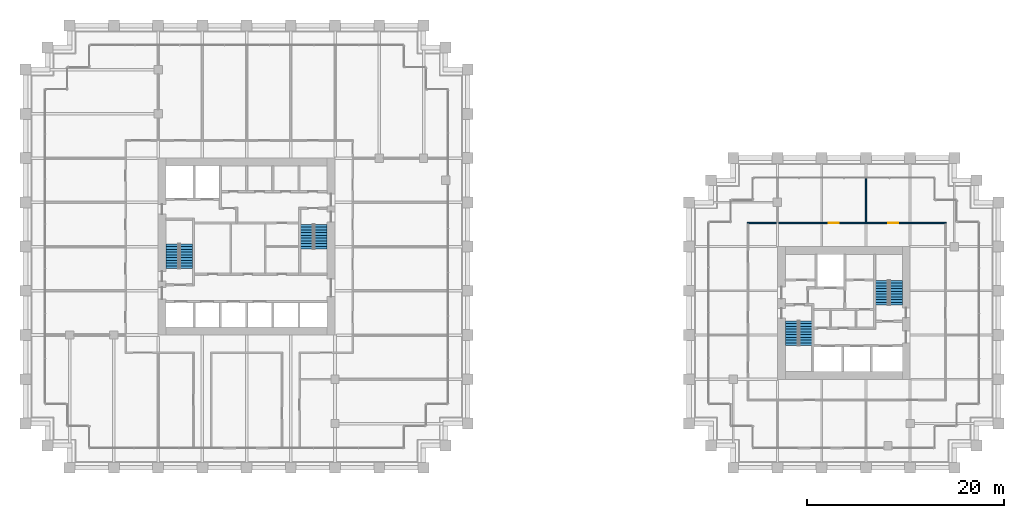
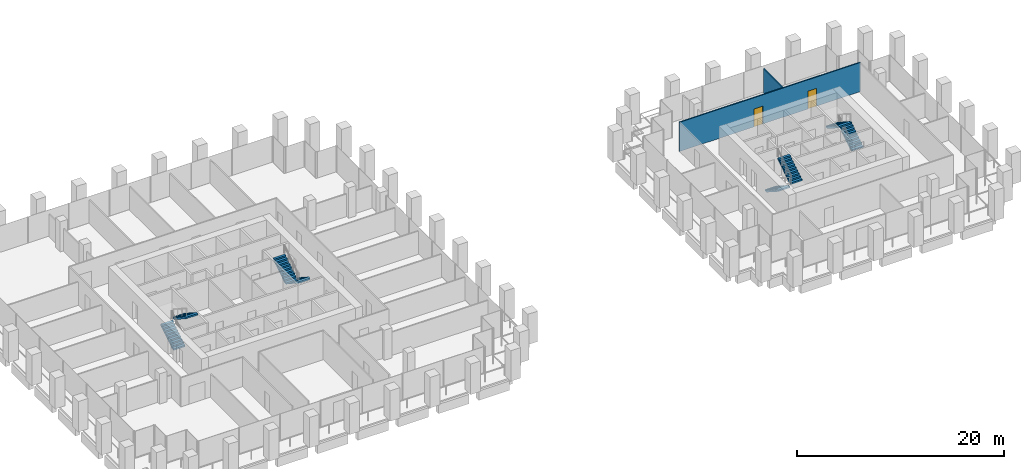
# One storey, part 54 of 56: 8 stair flights, 2 doors, 2 walls, 2 openings, 4 elements without a shape of their own.
"""IFC4 building model written with IfcOpenShell, lengths in metres."""

import ifcopenshell
import ifcopenshell.guid

model = None  # the IFC model being written
_history = None  # IfcOwnerHistory: only IFC2X3 demands one
_inside = {}  # id of a spatial element -> (the spatial element, [elements in it])
_under = {}  # id of a project, library or spatial element -> (it, [spatial elements below it])
_declared = {}  # id of a project -> (the project, [libraries it declares])
_typed = {}  # id of a type object -> (the type object, [elements of that type])
_made_of = {}  # id of a material, layer set ... -> (it, [elements and type objects made of it])


def new_model(schema):
    """Start an empty IFC model of exactly this schema.

    Asked for "IFC4X3", IfcOpenShell would pick the latest addendum, in which some entities
    have other attributes; the version numbers below select the first issue.
    IFC2X3 requires an IfcOwnerHistory on every rooted entity: one is made here for all.
    """
    global model, _history
    if schema == "IFC4X3":
        model = ifcopenshell.file(schema_version=(4, 3, 0, 0))
    else:
        model = ifcopenshell.file(schema=schema)
    _inside.clear()
    _under.clear()
    _declared.clear()
    _typed.clear()
    _made_of.clear()
    _history = None
    if model.schema == "IFC2X3":
        org = make("IfcOrganization", Name="unknown")
        user = make(
            "IfcPersonAndOrganization",
            ThePerson=make("IfcPerson", FamilyName="unknown"),
            TheOrganization=org,
        )
        app = make(
            "IfcApplication",
            ApplicationDeveloper=org,
            Version="unknown",
            ApplicationFullName="unknown",
            ApplicationIdentifier="unknown",
        )
        _history = make(
            "IfcOwnerHistory",
            OwningUser=user,
            OwningApplication=app,
            ChangeAction="ADDED",
            CreationDate=0,
        )
    return model


def make(cls, **values):
    """One entity of the class cls with the attributes given. An attribute that is None is left unset."""
    return model.create_entity(
        cls, **{name: value for name, value in values.items() if value is not None}
    )


def rooted(cls, **values):
    """An entity with a GlobalId (a new one), such as an element, a storey or a relation."""
    return make(cls, GlobalId=ifcopenshell.guid.new(), OwnerHistory=_history, **values)


def si_unit(unit_type, name, prefix=None):
    """IfcSIUnit, for example si_unit("LENGTHUNIT", "METRE", prefix="MILLI")."""
    return make("IfcSIUnit", UnitType=unit_type, Prefix=prefix, Name=name)


def assignment(units):
    """IfcUnitAssignment: the units of a project."""
    return None if units is None else make("IfcUnitAssignment", Units=units)


def point(xyz):
    """IfcCartesianPoint."""
    return None if xyz is None else make("IfcCartesianPoint", Coordinates=xyz)


def direction(xyz):
    """IfcDirection."""
    return None if xyz is None else make("IfcDirection", DirectionRatios=xyz)


def frame(location, z_axis=None, x_axis=None):
    """IfcAxis2Placement3D, a coordinate frame: its origin and axes. An axis left out is left unset."""
    return make(
        "IfcAxis2Placement3D",
        Location=point(location),
        Axis=direction(z_axis),
        RefDirection=direction(x_axis),
    )


def frame_2d(location, x_axis=None):
    """IfcAxis2Placement2D, a coordinate frame in the plane: its origin and x axis."""
    return make(
        "IfcAxis2Placement2D", Location=point(location), RefDirection=direction(x_axis)
    )


def origin():
    """The frame at (0, 0, 0) with its axes left unset."""
    return frame((0.0, 0.0, 0.0))


def place(relative_to, where):
    """IfcLocalPlacement: puts the frame where relative to a parent placement (None: the world)."""
    return make(
        "IfcLocalPlacement", PlacementRelTo=relative_to, RelativePlacement=where
    )


def context(
    kind, dimensions, precision=None, world=None, true_north=None, identifier=None
):
    """IfcGeometricRepresentationContext, for example the 3D "Model" context."""
    return make(
        "IfcGeometricRepresentationContext",
        ContextIdentifier=identifier,
        ContextType=kind,
        CoordinateSpaceDimension=dimensions,
        Precision=precision,
        WorldCoordinateSystem=world,
        TrueNorth=true_north,
    )


def subcontext(parent, identifier, kind, view, scale=None):
    """IfcGeometricRepresentationSubContext, for example "Body" below "Model"."""
    return make(
        "IfcGeometricRepresentationSubContext",
        ContextIdentifier=identifier,
        ContextType=kind,
        ParentContext=parent,
        TargetScale=scale,
        TargetView=view,
    )


def project(units=None, contexts=None):
    """IfcProject with its units and contexts."""
    return rooted(
        "IfcProject",
        Name="project",
        RepresentationContexts=contexts,
        UnitsInContext=assignment(units),
    )


def spatial(cls, under=None, at=None, **own):
    """A site, building, storey or space (cls), placed at a placement, below another one or the project."""
    s = rooted(cls, ObjectPlacement=at, **own)
    if under is not None:
        _under.setdefault(under.id(), (under, []))[1].append(s)
    return s


def polyline(points):
    """IfcPolyline through the points."""
    return make("IfcPolyline", Points=[point(p) for p in points])


def profile(cls, at=None, kind="AREA", **sizes):
    """A parametric profile (cls). Its sizes go by their IFC names, for example OverallWidth=200.0."""
    return make(cls, ProfileType=kind, Position=at, **sizes)


def rectangle(**sizes):
    """IfcRectangleProfileDef."""
    return profile("IfcRectangleProfileDef", **sizes)


def outline(outer, holes=None, kind="AREA"):
    """IfcArbitraryClosedProfileDef: a profile drawn as a closed curve; with holes, ...WithVoids."""
    if holes is None:
        return make("IfcArbitraryClosedProfileDef", ProfileType=kind, OuterCurve=outer)
    return make(
        "IfcArbitraryProfileDefWithVoids",
        ProfileType=kind,
        OuterCurve=outer,
        InnerCurves=holes,
    )


def extrude(swept, where, along, depth):
    """IfcExtrudedAreaSolid: the profile swept, set in the frame where, extruded along a direction by depth."""
    return make(
        "IfcExtrudedAreaSolid",
        SweptArea=swept,
        Position=where,
        ExtrudedDirection=direction(along),
        Depth=depth,
    )


def shape(context_of_items, identifier, shape_type, items):
    """IfcShapeRepresentation: the items that make up one representation, for example the "Body"."""
    return make(
        "IfcShapeRepresentation",
        ContextOfItems=context_of_items,
        RepresentationIdentifier=identifier,
        RepresentationType=shape_type,
        Items=items,
    )


def material(Name=None, Category=None):
    """IfcMaterial."""
    return make("IfcMaterial", Name=Name, Category=Category)


def layer(
    of_material, thickness, ventilated=None, Name=None, Category=None, Priority=None
):
    """IfcMaterialLayer: one layer of a wall or slab, of a material (None: an air gap)."""
    return make(
        "IfcMaterialLayer",
        Material=of_material,
        LayerThickness=thickness,
        IsVentilated=ventilated,
        Name=Name,
        Category=Category,
        Priority=Priority,
    )


def layer_set(layers, Name=None):
    """IfcMaterialLayerSet."""
    return make("IfcMaterialLayerSet", MaterialLayers=layers, LayerSetName=Name)


def made_of(thing, what):
    """Note that an element or type object is made of a material, layer set ...; save() writes the relation."""
    if what is not None:
        _made_of.setdefault(what.id(), (what, []))[1].append(thing)
    return thing


def type_object(cls, material=None, **own):
    """A type object (cls), such as IfcWallType, which elements share."""
    return made_of(rooted(cls, **own), material)


def element(
    cls,
    number,
    at=None,
    inside=None,
    cuts=None,
    type_object=None,
    material=None,
    context=None,
    identifier="Body",
    shape_type=None,
    held_by="IfcProductDefinitionShape",
    body=None,
    shapes=None,
    **own,
):
    """One element of the class cls, such as IfcWall. Its Tag is "e" and its number.

    at: its placement. inside: the storey or other place that contains it. cuts: it is an
    opening in that element (IfcRelVoidsElement). A single representation is given by context,
    identifier, shape_type and body (its items); several are given by shapes. held_by: the class
    of the entity that holds the representations. save() writes the other relations.
    """
    e = rooted(cls, Tag="e%d" % number, ObjectPlacement=at, **own)
    if body is not None:
        shapes = [shape(context, identifier, shape_type, body)]
    if shapes is not None:
        e.Representation = make(held_by, Representations=shapes)
    if inside is not None:
        _inside.setdefault(inside.id(), (inside, []))[1].append(e)
    if cuts is not None:
        rooted(
            "IfcRelVoidsElement", RelatingBuildingElement=cuts, RelatedOpeningElement=e
        )
    if type_object is not None:
        _typed.setdefault(type_object.id(), (type_object, []))[1].append(e)
    return made_of(e, material)


def fill(opening, filler):
    """IfcRelFillsElement: the door or window that sits in an opening."""
    return rooted(
        "IfcRelFillsElement",
        RelatingOpeningElement=opening,
        RelatedBuildingElement=filler,
    )


def aggregate(whole, parts):
    """IfcRelAggregates: a whole, such as a stair, and the parts it consists of."""
    return rooted("IfcRelAggregates", RelatingObject=whole, RelatedObjects=parts)


def save(model, path):
    """Write the relations noted so far, then the file.

    IfcRelAggregates (storeys below a building ...), IfcRelContainedInSpatialStructure (elements
    in a storey), IfcRelDefinesByType, IfcRelAssociatesMaterial and IfcRelDeclares: one each for
    every whole, place, type object, material and project.
    """
    for whole, parts in _under.values():
        aggregate(whole, parts)
    for where, things in _inside.values():
        rooted(
            "IfcRelContainedInSpatialStructure",
            RelatedElements=things,
            RelatingStructure=where,
        )
    for kind, things in _typed.values():
        rooted("IfcRelDefinesByType", RelatedObjects=things, RelatingType=kind)
    for what, things in _made_of.values():
        rooted("IfcRelAssociatesMaterial", RelatedObjects=things, RelatingMaterial=what)
    for by, libraries in _declared.values():
        rooted("IfcRelDeclares", RelatingContext=by, RelatedDefinitions=libraries)
    model.write(path)


model = new_model("IFC4")

# Units and contexts
model_context = context("Model", 3, precision=1e-05, world=origin(), true_north=direction((0.0, 1.0)))
body_context = subcontext(model_context, "Body", "Model", "MODEL_VIEW")
ifc_project = project(units=[si_unit("LENGTHUNIT", "METRE"), si_unit("AREAUNIT", "SQUARE_METRE"), si_unit("VOLUMEUNIT", "CUBIC_METRE"), si_unit("PLANEANGLEUNIT", "RADIAN"), si_unit("MASSUNIT", "GRAM", prefix="KILO")], contexts=[model_context])

# Site, building, storey
site_placement = place(None, origin())
site = spatial("IfcSite", under=ifc_project, at=site_placement, CompositionType="ELEMENT")
building_placement = place(site_placement, origin())
building = spatial("IfcBuilding", under=site, at=building_placement, Name="Altepetl Exchange Towers", CompositionType="ELEMENT")
storey_placement = place(building_placement, frame((0.0, 0.0, 69.0)))
storey = spatial("IfcBuildingStorey", under=building, at=storey_placement, Name="L16", CompositionType="ELEMENT", Elevation=69.0)

# Wall, openings, doors
ifc_material_1 = material(Name="Gypsum board on steel studs", Category="steel")
ifc_layer = layer(ifc_material_1, 0.125)
ifc_layer_set = layer_set([ifc_layer], Name="Gypsum board on steel studs")
wall_type = type_object("IfcWallType", Name="Partition 125 gypsum board on steel studs", PredefinedType="PARTITIONING", material=ifc_layer_set)
wall_1_placement = place(storey_placement, frame((100.4375, 51.89990234375, 0.0)))
wall_1 = element("IfcWall", 1, at=wall_1_placement, inside=storey, type_object=wall_type, Name="wall:B:L16:P06", PredefinedType="PARTITIONING", context=body_context, shape_type="SweptSolid", body=[
    extrude(rectangle(XDim=20.22509765625, YDim=0.125, at=frame_2d((10.112548828125, 0.0))), origin(), (0.0, 0.0, 1.0), 3.449951171875),
])
opening_1_placement = place(wall_1_placement, frame((14.33251953125, 0.0, 0.0)))
opening_1 = element("IfcOpeningElement", 2, at=opening_1_placement, cuts=wall_1, Name="Opening L16.B05", PredefinedType="OPENING", context=body_context, shape_type="SweptSolid", body=[
    extrude(rectangle(XDim=1.0, YDim=2.10009765625, at=frame_2d((0.5, 1.050048828125))), frame((0.0, 0.072509765625, 0.0), z_axis=(0.0, -1.0, 0.0), x_axis=(1.0, 0.0, 0.0)), (0.0, 0.0, 1.0), 0.14501953125),
])
opening_2_placement = place(wall_1_placement, frame((8.305419921875, 0.0, 0.0)))
opening_2 = element("IfcOpeningElement", 3, at=opening_2_placement, cuts=wall_1, Name="Opening L16.B06", PredefinedType="OPENING", context=body_context, shape_type="SweptSolid", body=[
    extrude(rectangle(XDim=1.0, YDim=2.10009765625, at=frame_2d((0.5, 1.050048828125))), frame((0.0, 0.072509765625, 0.0), z_axis=(0.0, -1.0, 0.0), x_axis=(1.0, 0.0, 0.0)), (0.0, 0.0, 1.0), 0.14501953125),
])
ifc_material_2 = material(Name="Steel and timber fire door", Category="steel")
door_type = type_object("IfcDoorType", Name="Fire door 1000 x 2100 single leaf", OperationType="SINGLE_SWING_LEFT", PredefinedType="DOOR", material=ifc_material_2)
door_1_placement = place(opening_1_placement, frame((1.0, 0.0, 0.0), x_axis=(-1.0, 0.0, 0.0)))
door_1 = element("IfcDoor", 4, at=door_1_placement, inside=storey, type_object=door_type, Name="door:B:L16:05", OperationType="SINGLE_SWING_LEFT", OverallHeight=2.10009765625, OverallWidth=1.0, PredefinedType="DOOR", context=body_context, shape_type="SweptSolid", body=[
    extrude(rectangle(XDim=1.0, YDim=2.10009765625, at=frame_2d((0.5, 1.050048828125))), frame((0.0, 0.02490234375, 0.0), z_axis=(0.0, -1.0, 0.0), x_axis=(1.0, 0.0, 0.0)), (0.0, 0.0, 1.0), 0.050048828125),
])
fill(opening_1, door_1)
door_2_placement = place(opening_2_placement, origin())
door_2 = element("IfcDoor", 5, at=door_2_placement, inside=storey, type_object=door_type, Name="door:B:L16:06", OperationType="SINGLE_SWING_RIGHT", OverallHeight=2.10009765625, OverallWidth=1.0, PredefinedType="DOOR", context=body_context, shape_type="SweptSolid", body=[
    extrude(rectangle(XDim=1.0, YDim=2.10009765625, at=frame_2d((0.5, 1.050048828125))), frame((0.0, 0.02490234375, 0.0), z_axis=(0.0, -1.0, 0.0), x_axis=(1.0, 0.0, 0.0)), (0.0, 0.0, 1.0), 0.050048828125),
])
fill(opening_2, door_2)

# Wall
wall_2_placement = place(storey_placement, frame((112.5, 51.89990234375, 0.0), z_axis=(0.0, 0.0, 1.0), x_axis=(0.0, 1.0, 0.0)))
element("IfcWall", 6, at=wall_2_placement, inside=storey, type_object=wall_type, Name="wall:B:L16:P12", PredefinedType="PARTITIONING", context=body_context, shape_type="SweptSolid", body=[
    extrude(rectangle(XDim=4.5, YDim=0.125, at=frame_2d((2.25, 0.0))), origin(), (0.0, 0.0, 1.0), 2.85107421875),
])

# Stair, stair flights
ifc_material_3 = material(Name="Concrete C40/50", Category="concrete")
stair_type = type_object("IfcStairType", Name="Exit stair 1300 flights dogleg", PredefinedType="HALF_TURN_STAIR", material=ifc_material_3)
stair_1_placement = place(storey_placement, origin())
stair_1 = element("IfcStair", 7, at=stair_1_placement, inside=storey, type_object=stair_type, Name="Exit stair 1", PredefinedType="HALF_TURN_STAIR")
stair_flight_type = type_object("IfcStairFlightType", Name="Stair flight 1300 wide", PredefinedType="STRAIGHT", material=ifc_material_3)
stair_flight_1_placement = place(storey_placement, frame((41.949951171875, 47.25, 0.0), z_axis=(0.0, 0.0, 1.0), x_axis=(0.0, 1.0, 0.0)))
stair_flight_1 = element("IfcStairFlight", 8, at=stair_flight_1_placement, type_object=stair_flight_type, Name="ST-A1c flight 1", NumberOfRisers=10, NumberOfTreads=9, PredefinedType="STRAIGHT", RiserHeight=0.18, TreadLength=0.28, context=body_context, shape_type="SweptSolid", body=[
    extrude(outline(polyline([(0.0, 0.0), (0.0, 0.179931640625), (0.280029296875, 0.179931640625), (0.280029296875, 0.360107421875), (0.56005859375, 0.360107421875), (0.56005859375, 0.5400390625), (0.840087890625, 0.5400390625), (0.840087890625, 0.719970703125), (1.1201171875, 0.719970703125), (1.1201171875, 0.89990234375), (1.39990234375, 0.89990234375), (1.39990234375, 1.080078125), (1.679931640625, 1.080078125), (1.679931640625, 1.260009765625), (1.9599609375, 1.260009765625), (1.9599609375, 1.43994140625), (2.239990234375, 1.43994140625), (2.239990234375, 1.6201171875), (2.52001953125, 1.6201171875), (2.52001953125, 1.800048828125), (2.52001953125, 1.44189453125), (0.277099609375, 0.0), (0.0, 0.0)])), frame((0.0, 0.64990234375, 0.0), z_axis=(0.0, -1.0, 0.0), x_axis=(1.0, 0.0, 0.0)), (0.0, 0.0, 1.0), 1.300048828125),
])
stair_flight_2_placement = place(storey_placement, frame((43.35009765625, 49.77001953125, 1.800048828125), z_axis=(0.0, 0.0, 1.0), x_axis=(0.0, -1.0, 0.0)))
stair_flight_2 = element("IfcStairFlight", 9, at=stair_flight_2_placement, type_object=stair_flight_type, Name="ST-A1c flight 2", NumberOfRisers=10, NumberOfTreads=9, PredefinedType="STRAIGHT", RiserHeight=0.18, TreadLength=0.28, context=body_context, shape_type="SweptSolid", body=[
    extrude(outline(polyline([(0.0, 0.0), (0.0, 0.179931640625), (0.280029296875, 0.179931640625), (0.280029296875, 0.360107421875), (0.56005859375, 0.360107421875), (0.56005859375, 0.5400390625), (0.840087890625, 0.5400390625), (0.840087890625, 0.719970703125), (1.1201171875, 0.719970703125), (1.1201171875, 0.89990234375), (1.39990234375, 0.89990234375), (1.39990234375, 1.080078125), (1.679931640625, 1.080078125), (1.679931640625, 1.260009765625), (1.9599609375, 1.260009765625), (1.9599609375, 1.43994140625), (2.239990234375, 1.43994140625), (2.239990234375, 1.6201171875), (2.52001953125, 1.6201171875), (2.52001953125, 1.800048828125), (2.52001953125, 1.44189453125), (0.277099609375, 0.0), (0.0, 0.0)])), frame((0.0, 0.64990234375, 0.0), z_axis=(0.0, -1.0, 0.0), x_axis=(1.0, 0.0, 0.0)), (0.0, 0.0, 1.0), 1.300048828125),
])
aggregate(stair_1, [stair_flight_1, stair_flight_2])

stair_2_placement = place(storey_placement, origin())
stair_2 = element("IfcStair", 10, at=stair_2_placement, inside=storey, type_object=stair_type, Name="Exit stair 2", PredefinedType="HALF_TURN_STAIR")
stair_flight_3_placement = place(storey_placement, frame((57.050048828125, 51.75, 0.0), z_axis=(0.0, 0.0, 1.0), x_axis=(0.0, -1.0, 0.0)))
stair_flight_3 = element("IfcStairFlight", 11, at=stair_flight_3_placement, type_object=stair_flight_type, Name="ST-A2c flight 1", NumberOfRisers=10, NumberOfTreads=9, PredefinedType="STRAIGHT", RiserHeight=0.18, TreadLength=0.28, context=body_context, shape_type="SweptSolid", body=[
    extrude(outline(polyline([(0.0, 0.0), (0.0, 0.179931640625), (0.280029296875, 0.179931640625), (0.280029296875, 0.360107421875), (0.56005859375, 0.360107421875), (0.56005859375, 0.5400390625), (0.840087890625, 0.5400390625), (0.840087890625, 0.719970703125), (1.1201171875, 0.719970703125), (1.1201171875, 0.89990234375), (1.39990234375, 0.89990234375), (1.39990234375, 1.080078125), (1.679931640625, 1.080078125), (1.679931640625, 1.260009765625), (1.9599609375, 1.260009765625), (1.9599609375, 1.43994140625), (2.239990234375, 1.43994140625), (2.239990234375, 1.6201171875), (2.52001953125, 1.6201171875), (2.52001953125, 1.800048828125), (2.52001953125, 1.44189453125), (0.277099609375, 0.0), (0.0, 0.0)])), frame((0.0, 0.64990234375, 0.0), z_axis=(0.0, -1.0, 0.0), x_axis=(1.0, 0.0, 0.0)), (0.0, 0.0, 1.0), 1.300048828125),
])
stair_flight_4_placement = place(storey_placement, frame((55.64990234375, 49.22998046875, 1.800048828125), z_axis=(0.0, 0.0, 1.0), x_axis=(0.0, 1.0, 0.0)))
stair_flight_4 = element("IfcStairFlight", 12, at=stair_flight_4_placement, type_object=stair_flight_type, Name="ST-A2c flight 2", NumberOfRisers=10, NumberOfTreads=9, PredefinedType="STRAIGHT", RiserHeight=0.18, TreadLength=0.28, context=body_context, shape_type="SweptSolid", body=[
    extrude(outline(polyline([(0.0, 0.0), (0.0, 0.179931640625), (0.280029296875, 0.179931640625), (0.280029296875, 0.360107421875), (0.56005859375, 0.360107421875), (0.56005859375, 0.5400390625), (0.840087890625, 0.5400390625), (0.840087890625, 0.719970703125), (1.1201171875, 0.719970703125), (1.1201171875, 0.89990234375), (1.39990234375, 0.89990234375), (1.39990234375, 1.080078125), (1.679931640625, 1.080078125), (1.679931640625, 1.260009765625), (1.9599609375, 1.260009765625), (1.9599609375, 1.43994140625), (2.239990234375, 1.43994140625), (2.239990234375, 1.6201171875), (2.52001953125, 1.6201171875), (2.52001953125, 1.800048828125), (2.52001953125, 1.44189453125), (0.277099609375, 0.0), (0.0, 0.0)])), frame((0.0, 0.64990234375, 0.0), z_axis=(0.0, -1.0, 0.0), x_axis=(1.0, 0.0, 0.0)), (0.0, 0.0, 1.0), 1.300048828125),
])
aggregate(stair_2, [stair_flight_3, stair_flight_4])

stair_3_placement = place(storey_placement, origin())
stair_3 = element("IfcStair", 13, at=stair_3_placement, inside=storey, type_object=stair_type, Name="Exit stair 1", PredefinedType="HALF_TURN_STAIR")
stair_flight_5_placement = place(storey_placement, frame((104.949951171875, 41.949951171875, 0.0), z_axis=(0.0, 0.0, 1.0), x_axis=(0.0, -1.0, 0.0)))
stair_flight_5 = element("IfcStairFlight", 14, at=stair_flight_5_placement, type_object=stair_flight_type, Name="ST-B1c flight 1", NumberOfRisers=10, NumberOfTreads=9, PredefinedType="STRAIGHT", RiserHeight=0.18, TreadLength=0.28, context=body_context, shape_type="SweptSolid", body=[
    extrude(outline(polyline([(0.0, 0.0), (0.0, 0.179931640625), (0.280029296875, 0.179931640625), (0.280029296875, 0.360107421875), (0.56005859375, 0.360107421875), (0.56005859375, 0.5400390625), (0.840087890625, 0.5400390625), (0.840087890625, 0.719970703125), (1.1201171875, 0.719970703125), (1.1201171875, 0.89990234375), (1.39990234375, 0.89990234375), (1.39990234375, 1.080078125), (1.679931640625, 1.080078125), (1.679931640625, 1.260009765625), (1.9599609375, 1.260009765625), (1.9599609375, 1.43994140625), (2.239990234375, 1.43994140625), (2.239990234375, 1.6201171875), (2.52001953125, 1.6201171875), (2.52001953125, 1.800048828125), (2.52001953125, 1.44189453125), (0.277099609375, 0.0), (0.0, 0.0)])), frame((0.0, 0.64990234375, 0.0), z_axis=(0.0, -1.0, 0.0), x_axis=(1.0, 0.0, 0.0)), (0.0, 0.0, 1.0), 1.300048828125),
])
stair_flight_6_placement = place(storey_placement, frame((106.35009765625, 39.429931640625, 1.800048828125), z_axis=(0.0, 0.0, 1.0), x_axis=(0.0, 1.0, 0.0)))
stair_flight_6 = element("IfcStairFlight", 15, at=stair_flight_6_placement, type_object=stair_flight_type, Name="ST-B1c flight 2", NumberOfRisers=10, NumberOfTreads=9, PredefinedType="STRAIGHT", RiserHeight=0.18, TreadLength=0.28, context=body_context, shape_type="SweptSolid", body=[
    extrude(outline(polyline([(0.0, 0.0), (0.0, 0.179931640625), (0.280029296875, 0.179931640625), (0.280029296875, 0.360107421875), (0.56005859375, 0.360107421875), (0.56005859375, 0.5400390625), (0.840087890625, 0.5400390625), (0.840087890625, 0.719970703125), (1.1201171875, 0.719970703125), (1.1201171875, 0.89990234375), (1.39990234375, 0.89990234375), (1.39990234375, 1.080078125), (1.679931640625, 1.080078125), (1.679931640625, 1.260009765625), (1.9599609375, 1.260009765625), (1.9599609375, 1.43994140625), (2.239990234375, 1.43994140625), (2.239990234375, 1.6201171875), (2.52001953125, 1.6201171875), (2.52001953125, 1.800048828125), (2.52001953125, 1.44189453125), (0.277099609375, 0.0), (0.0, 0.0)])), frame((0.0, 0.64990234375, 0.0), z_axis=(0.0, -1.0, 0.0), x_axis=(1.0, 0.0, 0.0)), (0.0, 0.0, 1.0), 1.300048828125),
])
aggregate(stair_3, [stair_flight_5, stair_flight_6])

stair_4_placement = place(storey_placement, origin())
stair_4 = element("IfcStair", 16, at=stair_4_placement, inside=storey, type_object=stair_type, Name="Exit stair 2", PredefinedType="HALF_TURN_STAIR")
stair_flight_7_placement = place(storey_placement, frame((115.550048828125, 43.550048828125, 0.0), z_axis=(0.0, 0.0, 1.0), x_axis=(0.0, 1.0, 0.0)))
stair_flight_7 = element("IfcStairFlight", 17, at=stair_flight_7_placement, type_object=stair_flight_type, Name="ST-B2c flight 1", NumberOfRisers=10, NumberOfTreads=9, PredefinedType="STRAIGHT", RiserHeight=0.18, TreadLength=0.28, context=body_context, shape_type="SweptSolid", body=[
    extrude(outline(polyline([(0.0, 0.0), (0.0, 0.179931640625), (0.280029296875, 0.179931640625), (0.280029296875, 0.360107421875), (0.56005859375, 0.360107421875), (0.56005859375, 0.5400390625), (0.840087890625, 0.5400390625), (0.840087890625, 0.719970703125), (1.1201171875, 0.719970703125), (1.1201171875, 0.89990234375), (1.39990234375, 0.89990234375), (1.39990234375, 1.080078125), (1.679931640625, 1.080078125), (1.679931640625, 1.260009765625), (1.9599609375, 1.260009765625), (1.9599609375, 1.43994140625), (2.239990234375, 1.43994140625), (2.239990234375, 1.6201171875), (2.52001953125, 1.6201171875), (2.52001953125, 1.800048828125), (2.52001953125, 1.44189453125), (0.277099609375, 0.0), (0.0, 0.0)])), frame((0.0, 0.64990234375, 0.0), z_axis=(0.0, -1.0, 0.0), x_axis=(1.0, 0.0, 0.0)), (0.0, 0.0, 1.0), 1.300048828125),
])
stair_flight_8_placement = place(storey_placement, frame((114.14990234375, 46.070068359375, 1.800048828125), z_axis=(0.0, 0.0, 1.0), x_axis=(0.0, -1.0, 0.0)))
stair_flight_8 = element("IfcStairFlight", 18, at=stair_flight_8_placement, type_object=stair_flight_type, Name="ST-B2c flight 2", NumberOfRisers=10, NumberOfTreads=9, PredefinedType="STRAIGHT", RiserHeight=0.18, TreadLength=0.28, context=body_context, shape_type="SweptSolid", body=[
    extrude(outline(polyline([(0.0, 0.0), (0.0, 0.179931640625), (0.280029296875, 0.179931640625), (0.280029296875, 0.360107421875), (0.56005859375, 0.360107421875), (0.56005859375, 0.5400390625), (0.840087890625, 0.5400390625), (0.840087890625, 0.719970703125), (1.1201171875, 0.719970703125), (1.1201171875, 0.89990234375), (1.39990234375, 0.89990234375), (1.39990234375, 1.080078125), (1.679931640625, 1.080078125), (1.679931640625, 1.260009765625), (1.9599609375, 1.260009765625), (1.9599609375, 1.43994140625), (2.239990234375, 1.43994140625), (2.239990234375, 1.6201171875), (2.52001953125, 1.6201171875), (2.52001953125, 1.800048828125), (2.52001953125, 1.44189453125), (0.277099609375, 0.0), (0.0, 0.0)])), frame((0.0, 0.64990234375, 0.0), z_axis=(0.0, -1.0, 0.0), x_axis=(1.0, 0.0, 0.0)), (0.0, 0.0, 1.0), 1.300048828125),
])
aggregate(stair_4, [stair_flight_7, stair_flight_8])

save(model, "model.ifc")
